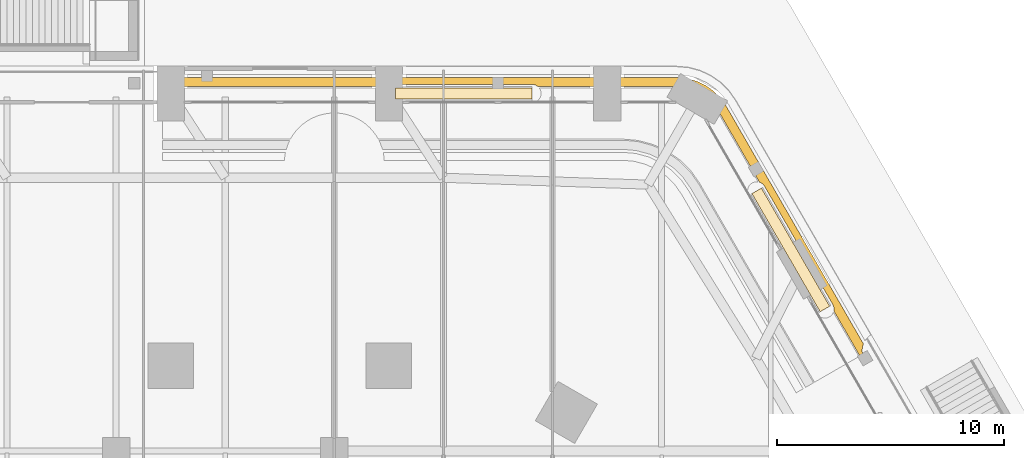
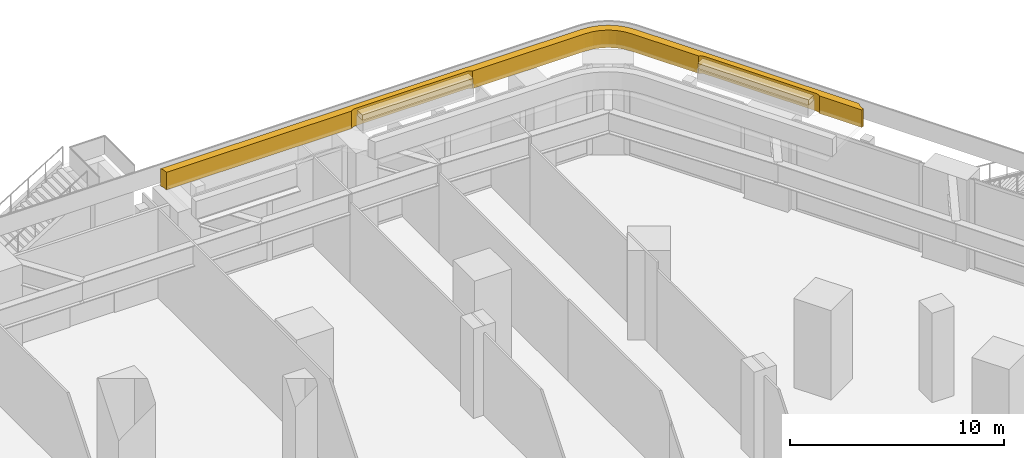
# One storey, part 34 of 34: 3 coverings.
"""IFC4 building model written with IfcOpenShell, lengths in metres."""

import ifcopenshell
import ifcopenshell.guid

model = None  # the IFC model being written
_history = None  # IfcOwnerHistory: only IFC2X3 demands one
_inside = {}  # id of a spatial element -> (the spatial element, [elements in it])
_under = {}  # id of a project, library or spatial element -> (it, [spatial elements below it])
_declared = {}  # id of a project -> (the project, [libraries it declares])
_typed = {}  # id of a type object -> (the type object, [elements of that type])
_made_of = {}  # id of a material, layer set ... -> (it, [elements and type objects made of it])


def new_model(schema):
    """Start an empty IFC model of exactly this schema.

    Asked for "IFC4X3", IfcOpenShell would pick the latest addendum, in which some entities
    have other attributes; the version numbers below select the first issue.
    IFC2X3 requires an IfcOwnerHistory on every rooted entity: one is made here for all.
    """
    global model, _history
    if schema == "IFC4X3":
        model = ifcopenshell.file(schema_version=(4, 3, 0, 0))
    else:
        model = ifcopenshell.file(schema=schema)
    _inside.clear()
    _under.clear()
    _declared.clear()
    _typed.clear()
    _made_of.clear()
    _history = None
    if model.schema == "IFC2X3":
        org = make("IfcOrganization", Name="unknown")
        user = make(
            "IfcPersonAndOrganization",
            ThePerson=make("IfcPerson", FamilyName="unknown"),
            TheOrganization=org,
        )
        app = make(
            "IfcApplication",
            ApplicationDeveloper=org,
            Version="unknown",
            ApplicationFullName="unknown",
            ApplicationIdentifier="unknown",
        )
        _history = make(
            "IfcOwnerHistory",
            OwningUser=user,
            OwningApplication=app,
            ChangeAction="ADDED",
            CreationDate=0,
        )
    return model


def make(cls, **values):
    """One entity of the class cls with the attributes given. An attribute that is None is left unset."""
    return model.create_entity(
        cls, **{name: value for name, value in values.items() if value is not None}
    )


def rooted(cls, **values):
    """An entity with a GlobalId (a new one), such as an element, a storey or a relation."""
    return make(cls, GlobalId=ifcopenshell.guid.new(), OwnerHistory=_history, **values)


def si_unit(unit_type, name, prefix=None):
    """IfcSIUnit, for example si_unit("LENGTHUNIT", "METRE", prefix="MILLI")."""
    return make("IfcSIUnit", UnitType=unit_type, Prefix=prefix, Name=name)


def assignment(units):
    """IfcUnitAssignment: the units of a project."""
    return None if units is None else make("IfcUnitAssignment", Units=units)


def point(xyz):
    """IfcCartesianPoint."""
    return None if xyz is None else make("IfcCartesianPoint", Coordinates=xyz)


def direction(xyz):
    """IfcDirection."""
    return None if xyz is None else make("IfcDirection", DirectionRatios=xyz)


def frame(location, z_axis=None, x_axis=None):
    """IfcAxis2Placement3D, a coordinate frame: its origin and axes. An axis left out is left unset."""
    return make(
        "IfcAxis2Placement3D",
        Location=point(location),
        Axis=direction(z_axis),
        RefDirection=direction(x_axis),
    )


def origin():
    """The frame at (0, 0, 0) with its axes left unset."""
    return frame((0.0, 0.0, 0.0))


def place(relative_to, where):
    """IfcLocalPlacement: puts the frame where relative to a parent placement (None: the world)."""
    return make(
        "IfcLocalPlacement", PlacementRelTo=relative_to, RelativePlacement=where
    )


def context(
    kind, dimensions, precision=None, world=None, true_north=None, identifier=None
):
    """IfcGeometricRepresentationContext, for example the 3D "Model" context."""
    return make(
        "IfcGeometricRepresentationContext",
        ContextIdentifier=identifier,
        ContextType=kind,
        CoordinateSpaceDimension=dimensions,
        Precision=precision,
        WorldCoordinateSystem=world,
        TrueNorth=true_north,
    )


def subcontext(parent, identifier, kind, view, scale=None):
    """IfcGeometricRepresentationSubContext, for example "Body" below "Model"."""
    return make(
        "IfcGeometricRepresentationSubContext",
        ContextIdentifier=identifier,
        ContextType=kind,
        ParentContext=parent,
        TargetScale=scale,
        TargetView=view,
    )


def project(units=None, contexts=None):
    """IfcProject with its units and contexts."""
    return rooted(
        "IfcProject",
        Name="project",
        RepresentationContexts=contexts,
        UnitsInContext=assignment(units),
    )


def spatial(cls, under=None, at=None, **own):
    """A site, building, storey or space (cls), placed at a placement, below another one or the project."""
    s = rooted(cls, ObjectPlacement=at, **own)
    if under is not None:
        _under.setdefault(under.id(), (under, []))[1].append(s)
    return s


def polyline(points):
    """IfcPolyline through the points."""
    return make("IfcPolyline", Points=[point(p) for p in points])


def outline(outer, holes=None, kind="AREA"):
    """IfcArbitraryClosedProfileDef: a profile drawn as a closed curve; with holes, ...WithVoids."""
    if holes is None:
        return make("IfcArbitraryClosedProfileDef", ProfileType=kind, OuterCurve=outer)
    return make(
        "IfcArbitraryProfileDefWithVoids",
        ProfileType=kind,
        OuterCurve=outer,
        InnerCurves=holes,
    )


def extrude(swept, where, along, depth):
    """IfcExtrudedAreaSolid: the profile swept, set in the frame where, extruded along a direction by depth."""
    return make(
        "IfcExtrudedAreaSolid",
        SweptArea=swept,
        Position=where,
        ExtrudedDirection=direction(along),
        Depth=depth,
    )


def shape(context_of_items, identifier, shape_type, items):
    """IfcShapeRepresentation: the items that make up one representation, for example the "Body"."""
    return make(
        "IfcShapeRepresentation",
        ContextOfItems=context_of_items,
        RepresentationIdentifier=identifier,
        RepresentationType=shape_type,
        Items=items,
    )


def material(Name=None, Category=None):
    """IfcMaterial."""
    return make("IfcMaterial", Name=Name, Category=Category)


def layer(
    of_material, thickness, ventilated=None, Name=None, Category=None, Priority=None
):
    """IfcMaterialLayer: one layer of a wall or slab, of a material (None: an air gap)."""
    return make(
        "IfcMaterialLayer",
        Material=of_material,
        LayerThickness=thickness,
        IsVentilated=ventilated,
        Name=Name,
        Category=Category,
        Priority=Priority,
    )


def layer_set(layers, Name=None):
    """IfcMaterialLayerSet."""
    return make("IfcMaterialLayerSet", MaterialLayers=layers, LayerSetName=Name)


def made_of(thing, what):
    """Note that an element or type object is made of a material, layer set ...; save() writes the relation."""
    if what is not None:
        _made_of.setdefault(what.id(), (what, []))[1].append(thing)
    return thing


def type_object(cls, material=None, **own):
    """A type object (cls), such as IfcWallType, which elements share."""
    return made_of(rooted(cls, **own), material)


def element(
    cls,
    number,
    at=None,
    inside=None,
    cuts=None,
    type_object=None,
    material=None,
    context=None,
    identifier="Body",
    shape_type=None,
    held_by="IfcProductDefinitionShape",
    body=None,
    shapes=None,
    **own,
):
    """One element of the class cls, such as IfcWall. Its Tag is "e" and its number.

    at: its placement. inside: the storey or other place that contains it. cuts: it is an
    opening in that element (IfcRelVoidsElement). A single representation is given by context,
    identifier, shape_type and body (its items); several are given by shapes. held_by: the class
    of the entity that holds the representations. save() writes the other relations.
    """
    e = rooted(cls, Tag="e%d" % number, ObjectPlacement=at, **own)
    if body is not None:
        shapes = [shape(context, identifier, shape_type, body)]
    if shapes is not None:
        e.Representation = make(held_by, Representations=shapes)
    if inside is not None:
        _inside.setdefault(inside.id(), (inside, []))[1].append(e)
    if cuts is not None:
        rooted(
            "IfcRelVoidsElement", RelatingBuildingElement=cuts, RelatedOpeningElement=e
        )
    if type_object is not None:
        _typed.setdefault(type_object.id(), (type_object, []))[1].append(e)
    return made_of(e, material)


def aggregate(whole, parts):
    """IfcRelAggregates: a whole, such as a stair, and the parts it consists of."""
    return rooted("IfcRelAggregates", RelatingObject=whole, RelatedObjects=parts)


def save(model, path):
    """Write the relations noted so far, then the file.

    IfcRelAggregates (storeys below a building ...), IfcRelContainedInSpatialStructure (elements
    in a storey), IfcRelDefinesByType, IfcRelAssociatesMaterial and IfcRelDeclares: one each for
    every whole, place, type object, material and project.
    """
    for whole, parts in _under.values():
        aggregate(whole, parts)
    for where, things in _inside.values():
        rooted(
            "IfcRelContainedInSpatialStructure",
            RelatedElements=things,
            RelatingStructure=where,
        )
    for kind, things in _typed.values():
        rooted("IfcRelDefinesByType", RelatedObjects=things, RelatingType=kind)
    for what, things in _made_of.values():
        rooted("IfcRelAssociatesMaterial", RelatedObjects=things, RelatingMaterial=what)
    for by, libraries in _declared.values():
        rooted("IfcRelDeclares", RelatingContext=by, RelatedDefinitions=libraries)
    model.write(path)


model = new_model("IFC4")

# Units and contexts
model_context = context("Model", 3, precision=1e-05, world=origin(), true_north=direction((0.0, 1.0)))
body_context = subcontext(model_context, "Body", "Model", "MODEL_VIEW")
ifc_project = project(units=[si_unit("LENGTHUNIT", "METRE"), si_unit("AREAUNIT", "SQUARE_METRE"), si_unit("VOLUMEUNIT", "CUBIC_METRE"), si_unit("PLANEANGLEUNIT", "RADIAN"), si_unit("MASSUNIT", "GRAM", prefix="KILO")], contexts=[model_context])

# Site, building, storey
site_placement = place(None, origin())
site = spatial("IfcSite", under=ifc_project, at=site_placement, CompositionType="ELEMENT")
building_placement = place(site_placement, origin())
building = spatial("IfcBuilding", under=site, at=building_placement, Name="Kolab Exchange Tower", CompositionType="ELEMENT")
storey_placement = place(building_placement, frame((0.0, 0.0, 7.0)))
storey = spatial("IfcBuildingStorey", under=building, at=storey_placement, Name="L01", CompositionType="ELEMENT", Elevation=7.0)

# Coverings
ifc_material_1 = material(Name="Planting soil and turf", Category="soil")
ifc_layer_1 = layer(ifc_material_1, 0.25)
ifc_layer_set_1 = layer_set([ifc_layer_1], Name="Planting soil and turf")
covering_type_1 = type_object("IfcCoveringType", Name="PLANTING SOIL AND TURF 250", PredefinedType="USERDEFINED", material=ifc_layer_set_1)
covering_1_placement = place(storey_placement, frame((0.0, 0.0, 6.10009765625)))
element("IfcCovering", 1, at=covering_1_placement, inside=storey, type_object=covering_type_1, Name="Planting soil and turf", ObjectType="PLANTING", PredefinedType="USERDEFINED", context=body_context, shape_type="SweptSolid", body=[
    extrude(outline(polyline([(18.294189453125, 44.76611328125), (18.294189453125, 44.2861328125), (12.294189453125, 44.2861328125), (12.294189453125, 44.76611328125), (18.294189453125, 44.76611328125)])), origin(), (0.0, 0.0, 1.0), 0.2998046875),
])
covering_2_placement = place(storey_placement, frame((0.0, 0.0, 6.10009765625)))
element("IfcCovering", 2, at=covering_2_placement, inside=storey, type_object=covering_type_1, Name="Planting soil and turf", ObjectType="PLANTING", PredefinedType="USERDEFINED", context=body_context, shape_type="SweptSolid", body=[
    extrude(outline(polyline([(31.38818359375, 35.16650390625), (30.972412109375, 34.926513671875), (27.972412109375, 40.12255859375), (28.38818359375, 40.362548828125), (31.38818359375, 35.16650390625)])), origin(), (0.0, 0.0, 1.0), 0.2998046875),
])
ifc_material_2 = material(Name="Terrace hedge planting", Category="soil")
ifc_layer_2 = layer(ifc_material_2, 1.0)
ifc_layer_set_2 = layer_set([ifc_layer_2], Name="Terrace hedge planting")
covering_type_2 = type_object("IfcCoveringType", Name="TERRACE HEDGE 1000 X 400", PredefinedType="USERDEFINED", material=ifc_layer_set_2)
covering_3_placement = place(storey_placement, frame((0.0, 0.0, 5.39990234375)))
element("IfcCovering", 3, at=covering_3_placement, inside=storey, type_object=covering_type_2, Name="Terrace hedge", ObjectType="PLANTING", PredefinedType="USERDEFINED", context=body_context, shape_type="SweptSolid", body=[
    extrude(outline(polyline([(24.646240234375, 45.22607421875), (25.101806640625, 45.186279296875), (25.5224609375, 45.073486328125), (25.9169921875, 44.8896484375), (26.273681640625, 44.639892578125), (26.58154296875, 44.331787109375), (26.843994140625, 43.957275390625), (32.875, 33.51123046875), (32.871337890625, 33.50244140625), (32.84716796875, 33.427734375), (32.83056640625, 33.35107421875), (32.82177734375, 33.27294921875), (32.8203125, 33.194580078125), (32.826904296875, 33.1162109375), (32.840576171875, 33.041015625), (32.82763671875, 33.035888671875), (32.7578125, 33.0), (32.720458984375, 32.978515625), (31.572021484375, 34.9677734375), (31.574951171875, 34.981201171875), (31.579345703125, 35.020263671875), (31.580078125, 35.0595703125), (31.576904296875, 35.0986328125), (31.56982421875, 35.13720703125), (31.55908203125, 35.175048828125), (31.544677734375, 35.21142578125), (31.526611328125, 35.246337890625), (28.526611328125, 40.442626953125), (28.50537109375, 40.4755859375), (28.48095703125, 40.50634765625), (28.453857421875, 40.534423828125), (28.423828125, 40.559814453125), (28.3916015625, 40.582275390625), (28.357177734375, 40.601318359375), (28.3212890625, 40.616943359375), (28.30810546875, 40.62109375), (26.50634765625, 43.7421875), (26.27392578125, 44.07373046875), (26.015625, 44.332275390625), (25.71630859375, 44.541748046875), (25.385009765625, 44.6962890625), (25.031982421875, 44.790771484375), (24.628662109375, 44.826171875), (18.55810546875, 44.826171875), (18.5478515625, 44.83544921875), (18.516357421875, 44.858642578125), (18.482666015625, 44.87890625), (18.447265625, 44.895751953125), (18.41015625, 44.908935546875), (18.3720703125, 44.91845703125), (18.333251953125, 44.92431640625), (18.294189453125, 44.926025390625), (12.294189453125, 44.926025390625), (12.2548828125, 44.92431640625), (12.216064453125, 44.91845703125), (12.177978515625, 44.908935546875), (12.14111328125, 44.895751953125), (12.10546875, 44.87890625), (12.072021484375, 44.858642578125), (12.040283203125, 44.83544921875), (12.0302734375, 44.826171875), (2.0400390625, 44.826171875), (2.0400390625, 44.869140625), (2.0361328125, 44.94775390625), (2.024658203125, 45.025390625), (2.005615234375, 45.1015625), (1.97900390625, 45.17529296875), (1.955078125, 45.22607421875), (24.646240234375, 45.22607421875)])), origin(), (0.0, 0.0, 1.0), 1.0),
])

save(model, "model.ifc")
